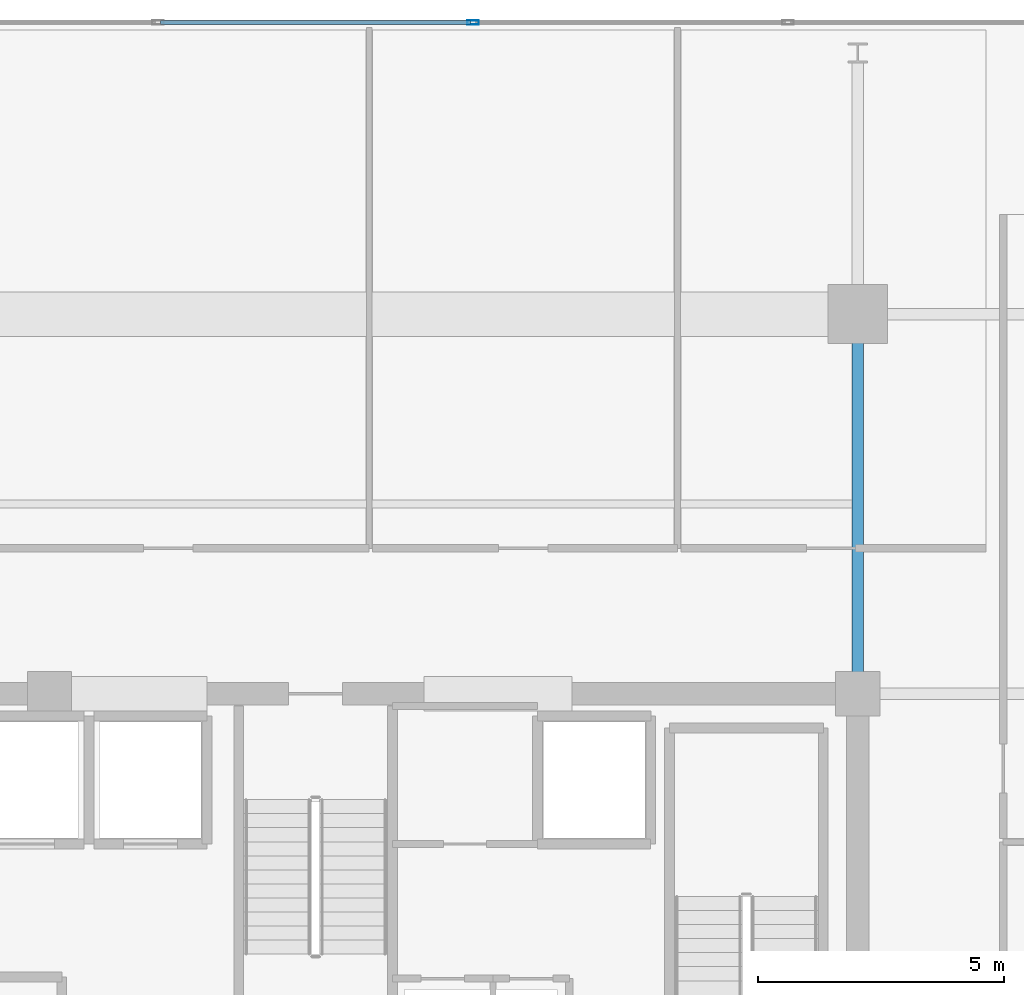
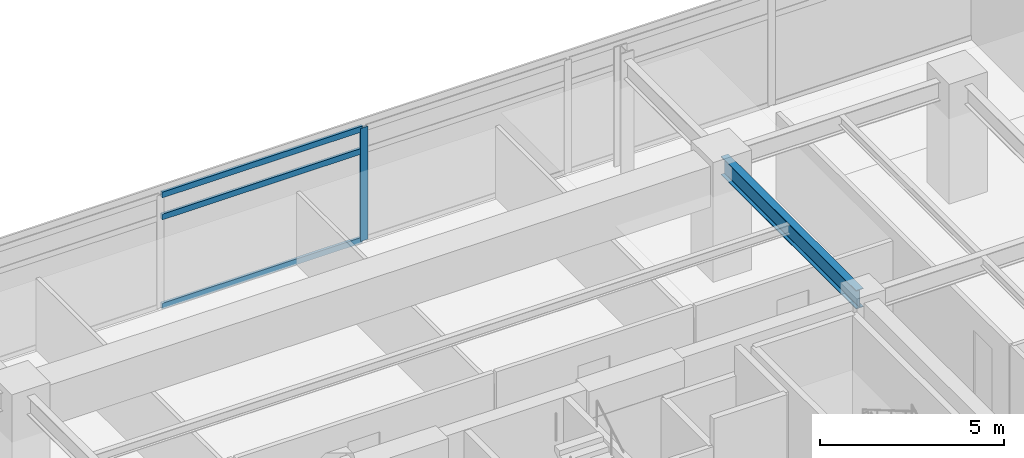
# One storey, part 10 of 24: 4 members, 1 beam, 1 element without a shape of its own.
"""IFC4 building model written with IfcOpenShell, lengths in metres."""

from ifc_helpers import new_model, si_unit, direction, frame, origin, origin_2d, place, context, subcontext, project, spatial, hollow_rectangle, i_section, extrude, material, material_profile, profile_set, type_object, element, aggregate, save


model = new_model("IFC4")

# Units and contexts
model_context = context("Model", 3, precision=1e-05, world=origin(), true_north=direction((0.0, 1.0)))
body_context = subcontext(model_context, "Body", "Model", "MODEL_VIEW")
ifc_project = project(units=[si_unit("LENGTHUNIT", "METRE"), si_unit("AREAUNIT", "SQUARE_METRE"), si_unit("VOLUMEUNIT", "CUBIC_METRE"), si_unit("PLANEANGLEUNIT", "RADIAN"), si_unit("MASSUNIT", "GRAM", prefix="KILO")], contexts=[model_context])

# Site, building, storey
site_placement = place(None, origin())
site = spatial("IfcSite", under=ifc_project, at=site_placement, CompositionType="ELEMENT")
building_placement = place(site_placement, origin())
building = spatial("IfcBuilding", under=site, at=building_placement, Name="Kovane Verandah Tower", CompositionType="ELEMENT")
storey_placement = place(building_placement, frame((0.0, 0.0, 259.199951171875)))
storey = spatial("IfcBuildingStorey", under=building, at=storey_placement, Name="L60", CompositionType="ELEMENT", Elevation=259.199951171875)

# Beam
ifc_material_1 = material(Name="Steel S355", Category="steel")
ifc_material_profile_1 = material_profile(ifc_material_1, i_section(OverallWidth=0.230224609375, OverallDepth=0.6171875, WebThickness=0.01318359375, FlangeThickness=0.022216796875, FilletRadius=0.0126953125, at=origin_2d()), Name="UB610x229x140")
ifc_profile_set_1 = profile_set([ifc_material_profile_1], Name="Steel S355")
beam_type = type_object("IfcBeamType", Name="BM-UB610x140", PredefinedType="BEAM", material=ifc_profile_set_1)
beam_placement = place(storey_placement, frame((51.0, 36.679931640625, 3.4765625), z_axis=(0.0, 1.0, 0.0), x_axis=(-1.0, 0.0, 0.0)))
element("IfcBeam", 1, at=beam_placement, inside=storey, type_object=beam_type, Name="L60 Primary Tower Girder G-N2", PredefinedType="BEAM", context=body_context, shape_type="SweptSolid", body=[
    extrude(i_section(OverallWidth=0.230224609375, OverallDepth=0.6171875, WebThickness=0.01318359375, FlangeThickness=0.022216796875, FilletRadius=0.0126953125, at=origin_2d()), origin(), (0.0, 0.0, 1.0), 7.340087890625),
])

# Curtain wall, members
ifc_material_2 = material(Name="Champagne Anodised Aluminium Frame with Low-E Clear Laminated Glass", Category="aluminium")
curtain_wall_type = type_object("IfcCurtainWallType", Name="CW-SYS-05-HIGH", PredefinedType="NOTDEFINED", material=ifc_material_2)
curtain_wall_placement = place(storey_placement, origin())
curtain_wall = element("IfcCurtainWall", 2, at=curtain_wall_placement, inside=storey, type_object=curtain_wall_type, Name="L60 N Unitised Curtain Wall", PredefinedType="NOTDEFINED")
ifc_material_3 = material(Name="Champagne Anodised Aluminium 6063-T6", Category="aluminium")
ifc_material_profile_2 = material_profile(ifc_material_3, hollow_rectangle(XDim=0.0849609375, YDim=0.22998046875, WallThickness=0.00390625, at=origin_2d()), Name="AL85x230x4")
ifc_profile_set_2 = profile_set([ifc_material_profile_2], Name="Champagne Anodised Aluminium 6063-T6")
member_type_1 = type_object("IfcMemberType", Name="CW-MUL-85x230", PredefinedType="MULLION", material=ifc_profile_set_2)
member_1_placement = place(storey_placement, frame((43.1953125, 50.1181640625, 0.02001953125), z_axis=(0.0, 0.0, 1.0), x_axis=(0.0, 1.0, 0.0)))
member_1 = element("IfcMember", 3, at=member_1_placement, type_object=member_type_1, Name="L60 N Unitised Curtain Wall Mullion 4", PredefinedType="MULLION", context=body_context, shape_type="SweptSolid", body=[
    extrude(hollow_rectangle(XDim=0.0849609375, YDim=0.22998046875, WallThickness=0.00390625, at=origin_2d()), origin(), (0.0, 0.0, 1.0), 3.7451171875),
])
ifc_material_profile_3 = material_profile(ifc_material_3, hollow_rectangle(XDim=0.0849609375, YDim=0.18994140625, WallThickness=0.00390625, at=origin_2d()), Name="AL85x190x4")
ifc_profile_set_3 = profile_set([ifc_material_profile_3], Name="Champagne Anodised Aluminium 6063-T6")
member_type_2 = type_object("IfcMemberType", Name="CW-TRN-85x190", PredefinedType="USERDEFINED", material=ifc_profile_set_3)
member_2_placement = place(storey_placement, frame((43.145263671875, 50.1181640625, 0.050048828125), z_axis=(-1.0, 0.0, 0.0), x_axis=(0.0, -1.0, 0.0)))
member_2 = element("IfcMember", 4, at=member_2_placement, type_object=member_type_2, Name="L60 N Unitised Curtain Wall Transom TB Bay 4", ObjectType="TRANSOM", PredefinedType="USERDEFINED", context=body_context, shape_type="SweptSolid", body=[
    extrude(hollow_rectangle(XDim=0.0849609375, YDim=0.18994140625, WallThickness=0.00390625, at=origin_2d()), origin(), (0.0, 0.0, 1.0), 6.29052734375),
])
member_3_placement = place(storey_placement, frame((43.145263671875, 50.1181640625, 3.005126953125), z_axis=(-1.0, 0.0, 0.0), x_axis=(0.0, -1.0, 0.0)))
member_3 = element("IfcMember", 5, at=member_3_placement, type_object=member_type_2, Name="L60 N Unitised Curtain Wall Transom TM Bay 4", ObjectType="TRANSOM", PredefinedType="USERDEFINED", context=body_context, shape_type="SweptSolid", body=[
    extrude(hollow_rectangle(XDim=0.0849609375, YDim=0.18994140625, WallThickness=0.00390625, at=origin_2d()), origin(), (0.0, 0.0, 1.0), 6.29052734375),
])
member_4_placement = place(storey_placement, frame((43.145263671875, 50.1181640625, 3.735107421875), z_axis=(-1.0, 0.0, 0.0), x_axis=(0.0, -1.0, 0.0)))
member_4 = element("IfcMember", 6, at=member_4_placement, type_object=member_type_2, Name="L60 N Unitised Curtain Wall Transom TT Bay 4", ObjectType="TRANSOM", PredefinedType="USERDEFINED", context=body_context, shape_type="SweptSolid", body=[
    extrude(hollow_rectangle(XDim=0.0849609375, YDim=0.18994140625, WallThickness=0.00390625, at=origin_2d()), origin(), (0.0, 0.0, 1.0), 6.29052734375),
])
aggregate(curtain_wall, [member_1, member_2, member_3, member_4])

save(model, "model.ifc")
